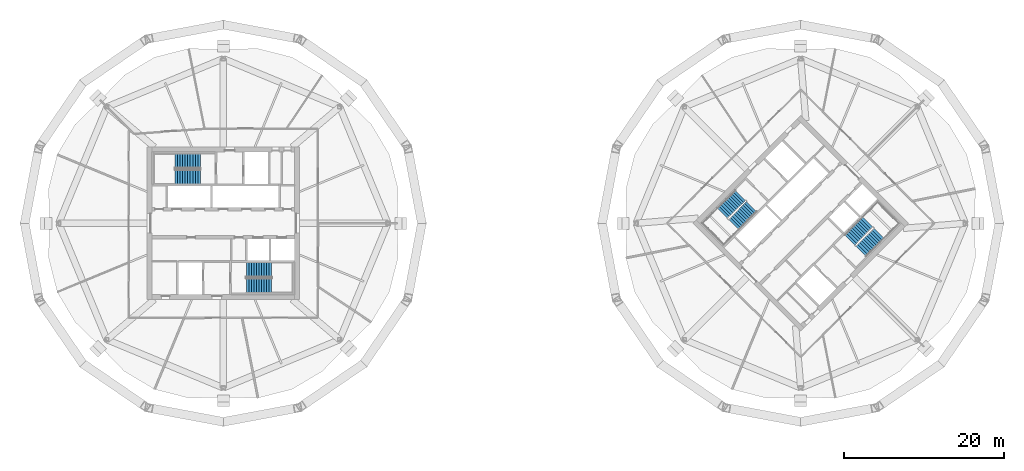
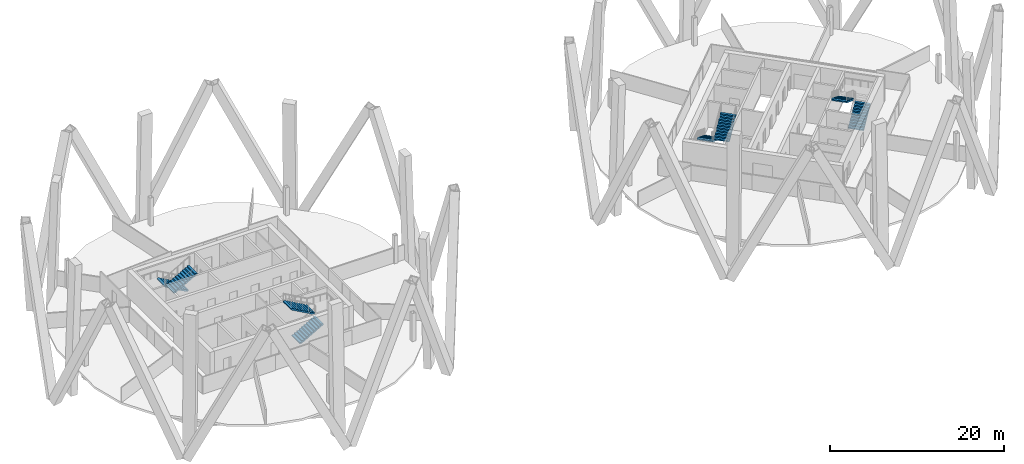
# One storey, part 8 of 10: 8 stair flights, 4 elements without a shape of their own.
"""IFC4 building model written with IfcOpenShell, lengths in metres."""

from ifc_helpers import new_model, si_unit, direction, frame, origin, place, context, subcontext, project, spatial, polyline, outline, extrude, material, type_object, element, aggregate, save


model = new_model("IFC4")

# Units and contexts
model_context = context("Model", 3, precision=1e-05, world=origin(), true_north=direction((0.0, 1.0)))
body_context = subcontext(model_context, "Body", "Model", "MODEL_VIEW")
ifc_project = project(units=[si_unit("LENGTHUNIT", "METRE"), si_unit("AREAUNIT", "SQUARE_METRE"), si_unit("VOLUMEUNIT", "CUBIC_METRE"), si_unit("PLANEANGLEUNIT", "RADIAN"), si_unit("MASSUNIT", "GRAM", prefix="KILO")], contexts=[model_context])

# Site, building, storey
site_placement = place(None, origin())
site = spatial("IfcSite", under=ifc_project, at=site_placement, CompositionType="ELEMENT")
building_placement = place(site_placement, origin())
building = spatial("IfcBuilding", under=site, at=building_placement, Name="Ogive Gate Towers", CompositionType="ELEMENT")
storey_placement = place(building_placement, frame((0.0, 0.0, 185.10009765625)))
storey = spatial("IfcBuildingStorey", under=building, at=storey_placement, Name="L44", CompositionType="ELEMENT", Elevation=185.10009765625)

# Stair, stair flights
ifc_material = material(Name="Concrete C40/50", Category="concrete")
stair_type = type_object("IfcStairType", Name="Escape stair 1840 wide", PredefinedType="HALF_TURN_STAIR", material=ifc_material)
stair_1_placement = place(storey_placement, origin())
stair_1 = element("IfcStair", 1, at=stair_1_placement, inside=storey, type_object=stair_type, Name="L44 Escape stair 1", PredefinedType="HALF_TURN_STAIR")
stair_flight_type = type_object("IfcStairFlightType", Name="Stair flight 1840 wide", PredefinedType="STRAIGHT", material=ifc_material)
stair_flight_1_placement = place(storey_placement, frame((-38.864990234375, 7.780029296875, 0.0), z_axis=(0.0, 0.0, 1.0), x_axis=(-1.0, 0.0, 0.0)))
stair_flight_1 = element("IfcStairFlight", 2, at=stair_flight_1_placement, type_object=stair_flight_type, Name="ST1 flight 1", NumberOfRisers=11, NumberOfTreads=10, PredefinedType="STRAIGHT", RiserHeight=0.177272727, TreadLength=0.313636364, context=body_context, shape_type="SweptSolid", body=[
    extrude(outline(polyline([(0.0, 0.0), (0.0, 0.17724609375), (0.313720703125, 0.17724609375), (0.313720703125, 0.3544921875), (0.627197265625, 0.3544921875), (0.627197265625, 0.53173828125), (0.94091796875, 0.53173828125), (0.94091796875, 0.708984375), (1.254638671875, 0.708984375), (1.254638671875, 0.886474609375), (1.568115234375, 0.886474609375), (1.568115234375, 1.063720703125), (1.8818359375, 1.063720703125), (1.8818359375, 1.240966796875), (2.195556640625, 1.240966796875), (2.195556640625, 1.418212890625), (2.509033203125, 1.418212890625), (2.509033203125, 1.595458984375), (2.82275390625, 1.595458984375), (2.82275390625, 1.772705078125), (3.136474609375, 1.772705078125), (3.136474609375, 1.949951171875), (3.136474609375, 1.6005859375), (0.3046875, 0.0), (0.0, 0.0)])), frame((0.0, 0.919921875, 0.0), z_axis=(0.0, -1.0, 0.0), x_axis=(1.0, 0.0, 0.0)), (0.0, 0.0, 1.0), 1.840087890625),
])
stair_flight_2_placement = place(storey_placement, frame((-42.00146484375, 5.794921875, 1.949951171875), z_axis=(0.0, 0.0, 1.0), x_axis=(1.0, 0.0, 0.0)))
stair_flight_2 = element("IfcStairFlight", 3, at=stair_flight_2_placement, type_object=stair_flight_type, Name="ST1 flight 2", NumberOfRisers=11, NumberOfTreads=10, PredefinedType="STRAIGHT", RiserHeight=0.177272727, TreadLength=0.313636364, context=body_context, shape_type="SweptSolid", body=[
    extrude(outline(polyline([(0.0, 0.0), (0.0, 0.17724609375), (0.313720703125, 0.17724609375), (0.313720703125, 0.3544921875), (0.627197265625, 0.3544921875), (0.627197265625, 0.53173828125), (0.94091796875, 0.53173828125), (0.94091796875, 0.708984375), (1.254638671875, 0.708984375), (1.254638671875, 0.886474609375), (1.568115234375, 0.886474609375), (1.568115234375, 1.063720703125), (1.8818359375, 1.063720703125), (1.8818359375, 1.240966796875), (2.195556640625, 1.240966796875), (2.195556640625, 1.418212890625), (2.509033203125, 1.418212890625), (2.509033203125, 1.595458984375), (2.82275390625, 1.595458984375), (2.82275390625, 1.772705078125), (3.136474609375, 1.772705078125), (3.136474609375, 1.949951171875), (3.136474609375, 1.6005859375), (0.3046875, 0.0), (0.0, 0.0)])), frame((0.0, 0.919921875, 0.0), z_axis=(0.0, -1.0, 0.0), x_axis=(1.0, 0.0, 0.0)), (0.0, 0.0, 1.0), 1.840087890625),
])
aggregate(stair_1, [stair_flight_1, stair_flight_2])

stair_2_placement = place(storey_placement, origin())
stair_2 = element("IfcStair", 4, at=stair_2_placement, inside=storey, type_object=stair_type, Name="L44 Escape stair 2", PredefinedType="HALF_TURN_STAIR")
stair_flight_3_placement = place(storey_placement, frame((-33.135009765625, -7.780029296875, 0.0), z_axis=(0.0, 0.0, 1.0), x_axis=(1.0, 0.0, 0.0)))
stair_flight_3 = element("IfcStairFlight", 5, at=stair_flight_3_placement, type_object=stair_flight_type, Name="ST2 flight 1", NumberOfRisers=11, NumberOfTreads=10, PredefinedType="STRAIGHT", RiserHeight=0.177272727, TreadLength=0.313636364, context=body_context, shape_type="SweptSolid", body=[
    extrude(outline(polyline([(0.0, 0.0), (0.0, 0.17724609375), (0.313720703125, 0.17724609375), (0.313720703125, 0.3544921875), (0.627197265625, 0.3544921875), (0.627197265625, 0.53173828125), (0.94091796875, 0.53173828125), (0.94091796875, 0.708984375), (1.254638671875, 0.708984375), (1.254638671875, 0.886474609375), (1.568115234375, 0.886474609375), (1.568115234375, 1.063720703125), (1.8818359375, 1.063720703125), (1.8818359375, 1.240966796875), (2.195556640625, 1.240966796875), (2.195556640625, 1.418212890625), (2.509033203125, 1.418212890625), (2.509033203125, 1.595458984375), (2.82275390625, 1.595458984375), (2.82275390625, 1.772705078125), (3.136474609375, 1.772705078125), (3.136474609375, 1.949951171875), (3.136474609375, 1.6005859375), (0.3046875, 0.0), (0.0, 0.0)])), frame((0.0, 0.919921875, 0.0), z_axis=(0.0, -1.0, 0.0), x_axis=(1.0, 0.0, 0.0)), (0.0, 0.0, 1.0), 1.840087890625),
])
stair_flight_4_placement = place(storey_placement, frame((-29.99853515625, -5.794921875, 1.949951171875), z_axis=(0.0, 0.0, 1.0), x_axis=(-1.0, 0.0, 0.0)))
stair_flight_4 = element("IfcStairFlight", 6, at=stair_flight_4_placement, type_object=stair_flight_type, Name="ST2 flight 2", NumberOfRisers=11, NumberOfTreads=10, PredefinedType="STRAIGHT", RiserHeight=0.177272727, TreadLength=0.313636364, context=body_context, shape_type="SweptSolid", body=[
    extrude(outline(polyline([(0.0, 0.0), (0.0, 0.17724609375), (0.313720703125, 0.17724609375), (0.313720703125, 0.3544921875), (0.627197265625, 0.3544921875), (0.627197265625, 0.53173828125), (0.94091796875, 0.53173828125), (0.94091796875, 0.708984375), (1.254638671875, 0.708984375), (1.254638671875, 0.886474609375), (1.568115234375, 0.886474609375), (1.568115234375, 1.063720703125), (1.8818359375, 1.063720703125), (1.8818359375, 1.240966796875), (2.195556640625, 1.240966796875), (2.195556640625, 1.418212890625), (2.509033203125, 1.418212890625), (2.509033203125, 1.595458984375), (2.82275390625, 1.595458984375), (2.82275390625, 1.772705078125), (3.136474609375, 1.772705078125), (3.136474609375, 1.949951171875), (3.136474609375, 1.6005859375), (0.3046875, 0.0), (0.0, 0.0)])), frame((0.0, 0.919921875, 0.0), z_axis=(0.0, -1.0, 0.0), x_axis=(1.0, 0.0, 0.0)), (0.0, 0.0, 1.0), 1.840087890625),
])
aggregate(stair_2, [stair_flight_3, stair_flight_4])

stair_3_placement = place(storey_placement, origin())
stair_3 = element("IfcStair", 7, at=stair_3_placement, inside=storey, type_object=stair_type, Name="L44 Escape stair 1", PredefinedType="HALF_TURN_STAIR")
stair_flight_5_placement = place(storey_placement, frame((28.472900390625, 3.475341796875, 0.0), z_axis=(0.0, 0.0, 1.0), x_axis=(-0.707106781187, -0.707106781187, 0.0)))
stair_flight_5 = element("IfcStairFlight", 8, at=stair_flight_5_placement, type_object=stair_flight_type, Name="ST1 flight 1", NumberOfRisers=11, NumberOfTreads=10, PredefinedType="STRAIGHT", RiserHeight=0.177272727, TreadLength=0.313636364, context=body_context, shape_type="SweptSolid", body=[
    extrude(outline(polyline([(0.0, 0.0), (0.0, 0.17724609375), (0.313720703125, 0.17724609375), (0.313720703125, 0.3544921875), (0.627197265625, 0.3544921875), (0.627197265625, 0.53173828125), (0.94091796875, 0.53173828125), (0.94091796875, 0.708984375), (1.254638671875, 0.708984375), (1.254638671875, 0.886474609375), (1.568115234375, 0.886474609375), (1.568115234375, 1.063720703125), (1.8818359375, 1.063720703125), (1.8818359375, 1.240966796875), (2.195556640625, 1.240966796875), (2.195556640625, 1.418212890625), (2.509033203125, 1.418212890625), (2.509033203125, 1.595458984375), (2.82275390625, 1.595458984375), (2.82275390625, 1.772705078125), (3.136474609375, 1.772705078125), (3.136474609375, 1.949951171875), (3.136474609375, 1.6005859375), (0.3046875, 0.0), (0.0, 0.0)])), frame((0.0, 0.919921875, 0.0), z_axis=(0.0, -1.0, 0.0), x_axis=(1.0, 0.0, 0.0)), (0.0, 0.0, 1.0), 1.840087890625),
])
stair_flight_6_placement = place(storey_placement, frame((27.65869140625, -0.14599609375, 1.949951171875), z_axis=(0.0, 0.0, 1.0), x_axis=(0.707106781187, 0.707106781187, 0.0)))
stair_flight_6 = element("IfcStairFlight", 9, at=stair_flight_6_placement, type_object=stair_flight_type, Name="ST1 flight 2", NumberOfRisers=11, NumberOfTreads=10, PredefinedType="STRAIGHT", RiserHeight=0.177272727, TreadLength=0.313636364, context=body_context, shape_type="SweptSolid", body=[
    extrude(outline(polyline([(0.0, 0.0), (0.0, 0.17724609375), (0.313720703125, 0.17724609375), (0.313720703125, 0.3544921875), (0.627197265625, 0.3544921875), (0.627197265625, 0.53173828125), (0.94091796875, 0.53173828125), (0.94091796875, 0.708984375), (1.254638671875, 0.708984375), (1.254638671875, 0.886474609375), (1.568115234375, 0.886474609375), (1.568115234375, 1.063720703125), (1.8818359375, 1.063720703125), (1.8818359375, 1.240966796875), (2.195556640625, 1.240966796875), (2.195556640625, 1.418212890625), (2.509033203125, 1.418212890625), (2.509033203125, 1.595458984375), (2.82275390625, 1.595458984375), (2.82275390625, 1.772705078125), (3.136474609375, 1.772705078125), (3.136474609375, 1.949951171875), (3.136474609375, 1.6005859375), (0.3046875, 0.0), (0.0, 0.0)])), frame((0.0, 0.919921875, 0.0), z_axis=(0.0, -1.0, 0.0), x_axis=(1.0, 0.0, 0.0)), (0.0, 0.0, 1.0), 1.840087890625),
])
aggregate(stair_3, [stair_flight_5, stair_flight_6])

stair_4_placement = place(storey_placement, origin())
stair_4 = element("IfcStair", 10, at=stair_4_placement, inside=storey, type_object=stair_type, Name="L44 Escape stair 2", PredefinedType="HALF_TURN_STAIR")
stair_flight_7_placement = place(storey_placement, frame((43.527099609375, -3.475341796875, 0.0), z_axis=(0.0, 0.0, 1.0), x_axis=(0.707106781187, 0.707106781187, 0.0)))
stair_flight_7 = element("IfcStairFlight", 11, at=stair_flight_7_placement, type_object=stair_flight_type, Name="ST2 flight 1", NumberOfRisers=11, NumberOfTreads=10, PredefinedType="STRAIGHT", RiserHeight=0.177272727, TreadLength=0.313636364, context=body_context, shape_type="SweptSolid", body=[
    extrude(outline(polyline([(0.0, 0.0), (0.0, 0.17724609375), (0.313720703125, 0.17724609375), (0.313720703125, 0.3544921875), (0.627197265625, 0.3544921875), (0.627197265625, 0.53173828125), (0.94091796875, 0.53173828125), (0.94091796875, 0.708984375), (1.254638671875, 0.708984375), (1.254638671875, 0.886474609375), (1.568115234375, 0.886474609375), (1.568115234375, 1.063720703125), (1.8818359375, 1.063720703125), (1.8818359375, 1.240966796875), (2.195556640625, 1.240966796875), (2.195556640625, 1.418212890625), (2.509033203125, 1.418212890625), (2.509033203125, 1.595458984375), (2.82275390625, 1.595458984375), (2.82275390625, 1.772705078125), (3.136474609375, 1.772705078125), (3.136474609375, 1.949951171875), (3.136474609375, 1.6005859375), (0.3046875, 0.0), (0.0, 0.0)])), frame((0.0, 0.919921875, 0.0), z_axis=(0.0, -1.0, 0.0), x_axis=(1.0, 0.0, 0.0)), (0.0, 0.0, 1.0), 1.840087890625),
])
stair_flight_8_placement = place(storey_placement, frame((44.34130859375, 0.14599609375, 1.949951171875), z_axis=(0.0, 0.0, 1.0), x_axis=(-0.707106781187, -0.707106781187, 0.0)))
stair_flight_8 = element("IfcStairFlight", 12, at=stair_flight_8_placement, type_object=stair_flight_type, Name="ST2 flight 2", NumberOfRisers=11, NumberOfTreads=10, PredefinedType="STRAIGHT", RiserHeight=0.177272727, TreadLength=0.313636364, context=body_context, shape_type="SweptSolid", body=[
    extrude(outline(polyline([(0.0, 0.0), (0.0, 0.17724609375), (0.313720703125, 0.17724609375), (0.313720703125, 0.3544921875), (0.627197265625, 0.3544921875), (0.627197265625, 0.53173828125), (0.94091796875, 0.53173828125), (0.94091796875, 0.708984375), (1.254638671875, 0.708984375), (1.254638671875, 0.886474609375), (1.568115234375, 0.886474609375), (1.568115234375, 1.063720703125), (1.8818359375, 1.063720703125), (1.8818359375, 1.240966796875), (2.195556640625, 1.240966796875), (2.195556640625, 1.418212890625), (2.509033203125, 1.418212890625), (2.509033203125, 1.595458984375), (2.82275390625, 1.595458984375), (2.82275390625, 1.772705078125), (3.136474609375, 1.772705078125), (3.136474609375, 1.949951171875), (3.136474609375, 1.6005859375), (0.3046875, 0.0), (0.0, 0.0)])), frame((0.0, 0.919921875, 0.0), z_axis=(0.0, -1.0, 0.0), x_axis=(1.0, 0.0, 0.0)), (0.0, 0.0, 1.0), 1.840087890625),
])
aggregate(stair_4, [stair_flight_7, stair_flight_8])

save(model, "model.ifc")
